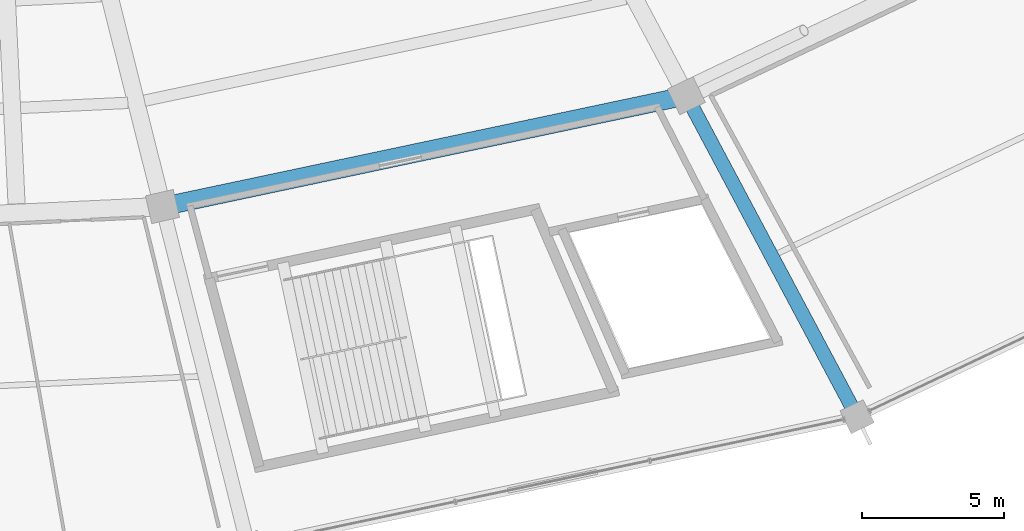
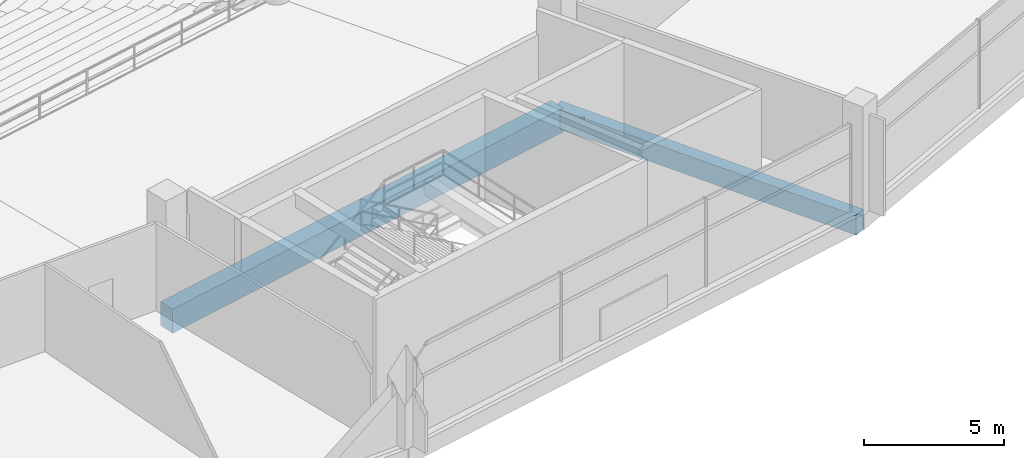
# One storey, part 42 of 156: 2 beams.
"""IFC4 building model written with IfcOpenShell, lengths in metres."""

from ifc_helpers import new_model, si_unit, direction, frame, origin, origin_2d, place, context, subcontext, project, spatial, rectangle, extrude, material, material_profile, profile_set, type_object, element, save


model = new_model("IFC4")

# Units and contexts
model_context = context("Model", 3, precision=1e-05, world=origin(), true_north=direction((0.0, 1.0)))
body_context = subcontext(model_context, "Body", "Model", "MODEL_VIEW")
ifc_project = project(units=[si_unit("LENGTHUNIT", "METRE"), si_unit("AREAUNIT", "SQUARE_METRE"), si_unit("VOLUMEUNIT", "CUBIC_METRE"), si_unit("PLANEANGLEUNIT", "RADIAN"), si_unit("MASSUNIT", "GRAM", prefix="KILO")], contexts=[model_context])

# Site, building, storey
site_placement = place(None, origin())
site = spatial("IfcSite", under=ifc_project, at=site_placement, CompositionType="ELEMENT")
building_placement = place(site_placement, origin())
building = spatial("IfcBuilding", under=site, at=building_placement, Name="Kazemori Nagisa Stadium", CompositionType="ELEMENT")
storey_placement = place(building_placement, frame((0.0, 0.0, 5.780029296875)))
storey = spatial("IfcBuildingStorey", under=building, at=storey_placement, Name="L01", CompositionType="ELEMENT", Elevation=5.780029296875)

# Beams
ifc_material = material(Name="Concrete C40/50 (Fc42)", Category="concrete")
ifc_material_profile_1 = material_profile(ifc_material, rectangle(XDim=0.5, YDim=0.85009765625, at=origin_2d()), Name="RC-BM-500x850")
ifc_profile_set_1 = profile_set([ifc_material_profile_1], Name="Concrete C40/50 (Fc42)")
beam_type_1 = type_object("IfcBeamType", Name="Beam_BG-RC500X850", PredefinedType="BEAM", material=ifc_profile_set_1)
beam_1_placement = place(storey_placement, frame((159.81201171875, 32.80078125, -0.705078125), z_axis=(0.469648511848, -0.882853484628, 0.0), x_axis=(0.882853484628, 0.469648511848, 0.0)))
element("IfcBeam", 1, at=beam_1_placement, inside=storey, type_object=beam_type_1, Name="Radial girder BG-RC500X850 L01 R2-R3-24", PredefinedType="BEAM", context=body_context, shape_type="SweptSolid", body=[
    extrude(rectangle(XDim=0.5, YDim=0.85009765625, at=origin_2d()), origin(), (0.0, 0.0, 1.0), 12.760009765625),
])
ifc_material_profile_2 = material_profile(ifc_material, rectangle(XDim=0.64990234375, YDim=1.050048828125, at=origin_2d()), Name="RC-BM-650x1050")
ifc_profile_set_2 = profile_set([ifc_material_profile_2], Name="Concrete C40/50 (Fc42)")
beam_type_2 = type_object("IfcBeamType", Name="Beam_BG-RC650X1050", PredefinedType="BEAM", material=ifc_profile_set_2)
beam_2_placement = place(storey_placement, frame((141.427734375, 28.911376953125, -0.804931640625), z_axis=(0.978345149833, 0.206980114499, 0.0), x_axis=(-0.206980114499, 0.978345149833, 0.0)))
element("IfcBeam", 2, at=beam_2_placement, inside=storey, type_object=beam_type_2, Name="Ring girder BG-RC650X1050 L01 R2-23", PredefinedType="BEAM", context=body_context, shape_type="SweptSolid", body=[
    extrude(rectangle(XDim=0.64990234375, YDim=1.050048828125, at=origin_2d()), origin(), (0.0, 0.0, 1.0), 18.791259765625),
])

save(model, "model.ifc")
